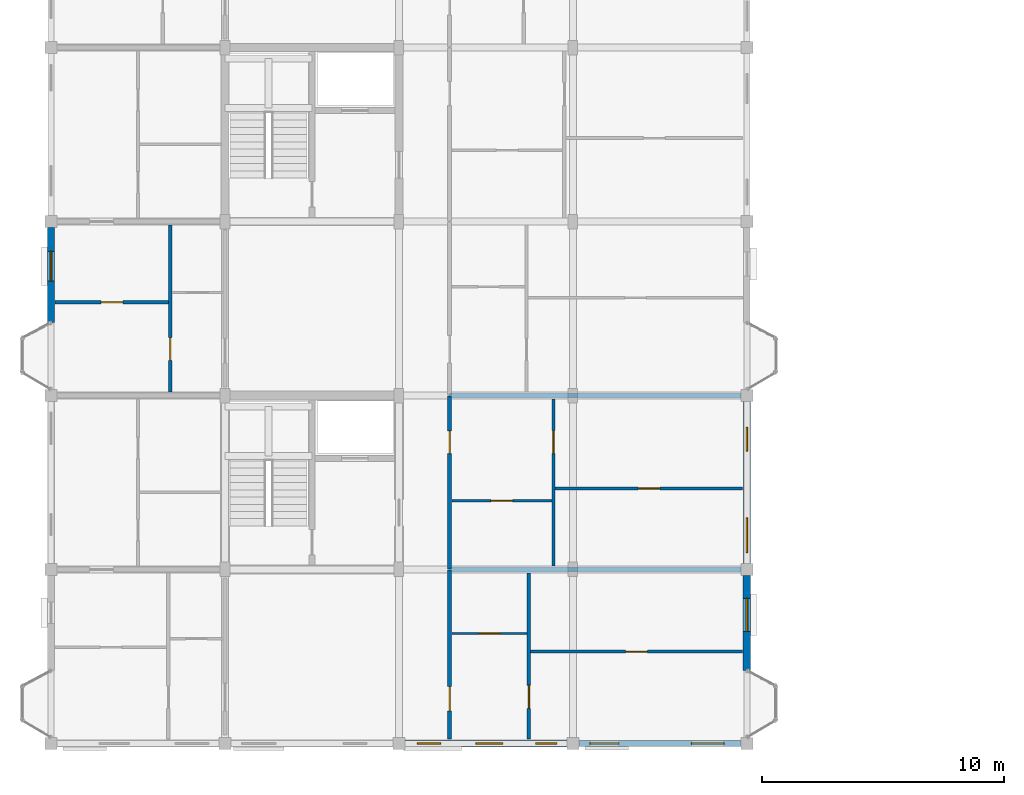
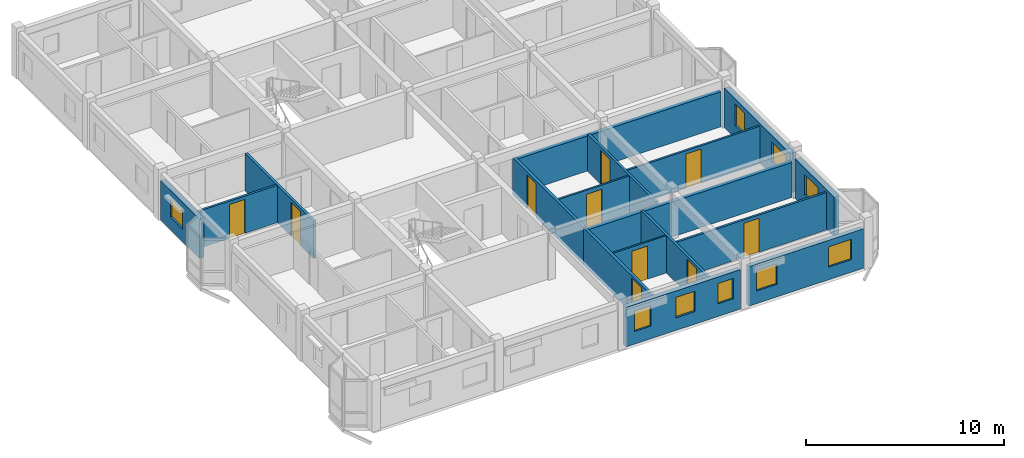
# One storey, part 46 of 65: 17 walls, 10 doors, 9 windows, 19 openings.
"""IFC4 building model written with IfcOpenShell, lengths in metres."""

from ifc_helpers import new_model, si_unit, direction, frame, frame_2d, origin, place, context, subcontext, project, spatial, rectangle, extrude, material, layer, layer_set, type_object, element, fill, save


model = new_model("IFC4")

# Units and contexts
model_context = context("Model", 3, precision=1e-05, world=origin(), true_north=direction((0.0, 1.0)))
body_context = subcontext(model_context, "Body", "Model", "MODEL_VIEW")
ifc_project = project(units=[si_unit("LENGTHUNIT", "METRE"), si_unit("AREAUNIT", "SQUARE_METRE"), si_unit("VOLUMEUNIT", "CUBIC_METRE"), si_unit("PLANEANGLEUNIT", "RADIAN"), si_unit("MASSUNIT", "GRAM", prefix="KILO"), si_unit("THERMODYNAMICTEMPERATUREUNIT", "KELVIN"), si_unit("POWERUNIT", "WATT")], contexts=[model_context])

# Site, building, storey
site_placement = place(None, origin())
site = spatial("IfcSite", under=ifc_project, at=site_placement, CompositionType="ELEMENT")
building_placement = place(site_placement, origin())
building = spatial("IfcBuilding", under=site, at=building_placement, Name="Tavuni Mirador Residences", CompositionType="ELEMENT")
storey_placement = place(building_placement, frame((0.0, 0.0, 29.699951171875)))
storey = spatial("IfcBuildingStorey", under=building, at=storey_placement, Name="L09", CompositionType="ELEMENT", Elevation=29.699951171875)

# Wall, opening, door
ifc_material_1 = material(Name="Precast concrete C40/50", Category="concrete")
ifc_layer_1 = layer(ifc_material_1, 0.1650390625, Name="Precast concrete C40/50", Category="concrete")
ifc_layer_set_1 = layer_set([ifc_layer_1], Name="Precast concrete C40/50")
wall_type_1 = type_object("IfcWallType", Name="WT-CORR165", PredefinedType="PARTITIONING", material=ifc_layer_set_1)
wall_1_placement = place(storey_placement, frame((20.10009765625, 7.375, 0.0), z_axis=(0.0, 0.0, 1.0), x_axis=(0.0, 1.0, 0.0)))
wall_1 = element("IfcWall", 1, at=wall_1_placement, inside=storey, type_object=wall_type_1, Name="CORW-BLK-A-L09-0-00", PredefinedType="PARTITIONING", context=body_context, shape_type="SweptSolid", body=[
    extrude(rectangle(XDim=7.0048828125, YDim=0.1650390625, at=frame_2d((3.50244140625, 0.0))), origin(), (0.0, 0.0, 1.0), 2.304931640625),
])
opening_1_placement = place(wall_1_placement, frame((1.175048828125, 0.0, 0.0)))
opening_1 = element("IfcOpeningElement", 2, at=opening_1_placement, cuts=wall_1, Name="Opening D-03", PredefinedType="OPENING", context=body_context, shape_type="SweptSolid", body=[
    extrude(rectangle(XDim=1.0, YDim=2.14990234375, at=frame_2d((0.5, 1.074951171875))), frame((0.0, 0.092529296875, 0.0), z_axis=(0.0, -1.0, 0.0), x_axis=(1.0, 0.0, 0.0)), (0.0, 0.0, 1.0), 0.18505859375),
])
ifc_material_2 = material(Name="Solid core iroko timber", Category="wood")
door_type_1 = type_object("IfcDoorType", Name="DT-FD60-1000", OperationType="NOTDEFINED", PredefinedType="DOOR", material=ifc_material_2)
door_1_placement = place(opening_1_placement, origin())
door_1 = element("IfcDoor", 3, at=door_1_placement, inside=storey, type_object=door_type_1, Name="DR-2469", OperationType="SINGLE_SWING_RIGHT", OverallHeight=2.14990234375, OverallWidth=1.0, PredefinedType="DOOR", context=body_context, shape_type="SweptSolid", body=[
    extrude(rectangle(XDim=1.0, YDim=2.14990234375, at=frame_2d((0.5, 1.074951171875))), frame((0.0, 0.02490234375, 0.0), z_axis=(0.0, -1.0, 0.0), x_axis=(1.0, 0.0, 0.0)), (0.0, 0.0, 1.0), 0.050048828125),
])
fill(opening_1, door_1)

wall_2_placement = place(storey_placement, frame((20.10009765625, 14.419921875, 0.0), z_axis=(0.0, 0.0, 1.0), x_axis=(0.0, 1.0, 0.0)))
wall_2 = element("IfcWall", 4, at=wall_2_placement, inside=storey, type_object=wall_type_1, Name="CORW-BLK-A-L09-0-01", PredefinedType="PARTITIONING", context=body_context, shape_type="SweptSolid", body=[
    extrude(rectangle(XDim=7.16015625, YDim=0.1650390625, at=frame_2d((3.580078125, 0.0))), origin(), (0.0, 0.0, 1.0), 2.304931640625),
])
opening_2_placement = place(wall_2_placement, frame((4.780029296875, 0.0, 0.0)))
opening_2 = element("IfcOpeningElement", 5, at=opening_2_placement, cuts=wall_2, Name="Opening D-19", PredefinedType="OPENING", context=body_context, shape_type="SweptSolid", body=[
    extrude(rectangle(XDim=0.93994140625, YDim=2.1201171875, at=frame_2d((0.469970703125, 1.06005859375))), frame((0.0, 0.092529296875, 0.0), z_axis=(0.0, -1.0, 0.0), x_axis=(1.0, 0.0, 0.0)), (0.0, 0.0, 1.0), 0.18505859375),
])
door_type_2 = type_object("IfcDoorType", Name="DT-FD60-940", OperationType="NOTDEFINED", PredefinedType="DOOR", material=ifc_material_2)
door_2_placement = place(opening_2_placement, origin())
door_2 = element("IfcDoor", 6, at=door_2_placement, inside=storey, type_object=door_type_2, Name="DR-2470", OperationType="SINGLE_SWING_LEFT", OverallHeight=2.1201171875, OverallWidth=0.93994140625, PredefinedType="DOOR", context=body_context, shape_type="SweptSolid", body=[
    extrude(rectangle(XDim=0.93994140625, YDim=2.1201171875, at=frame_2d((0.469970703125, 1.06005859375))), frame((0.0, 0.02490234375, 0.0), z_axis=(0.0, -1.0, 0.0), x_axis=(1.0, 0.0, 0.0)), (0.0, 0.0, 1.0), 0.050048828125),
])
fill(opening_2, door_2)

# Wall, openings, windows
ifc_material_3 = material(Name="Sgraffito lime-rendered precast concrete C40/50", Category="concrete")
ifc_layer_2 = layer(ifc_material_3, 0.2548828125, Name="Sgraffito lime-rendered precast concrete C40/50", Category="concrete")
ifc_layer_set_2 = layer_set([ifc_layer_2], Name="Sgraffito lime-rendered precast concrete C40/50")
wall_type_2 = type_object("IfcWallType", Name="WT-EXT-PC255", PredefinedType="SOLIDWALL", material=ifc_layer_set_2)
wall_3_placement = place(storey_placement, frame((25.449951171875, 7.199951171875, 0.0), z_axis=(0.0, 0.0, 1.0), x_axis=(1.0, 0.0, 0.0)))
wall_3 = element("IfcWall", 7, at=wall_3_placement, inside=storey, type_object=wall_type_2, Name="EW-BLK-A-L09-S03", PredefinedType="SOLIDWALL", context=body_context, shape_type="SweptSolid", body=[
    extrude(rectangle(XDim=6.699951171875, YDim=0.2548828125, at=frame_2d((3.35009765625, 0.0))), origin(), (0.0, 0.0, 1.0), 2.43994140625),
])
opening_3_placement = place(wall_3_placement, frame((0.449951171875, 0.0, 0.780029296875)))
opening_3 = element("IfcOpeningElement", 8, at=opening_3_placement, cuts=wall_3, Name="Opening WN-13", PredefinedType="OPENING", context=body_context, shape_type="SweptSolid", body=[
    extrude(rectangle(XDim=1.199951171875, YDim=1.260009765625, at=frame_2d((0.60009765625, 0.6298828125))), frame((0.0, 0.137451171875, 0.0), z_axis=(0.0, -1.0, 0.0), x_axis=(1.0, 0.0, 0.0)), (0.0, 0.0, 1.0), 0.27490234375),
])
opening_4_placement = place(wall_3_placement, frame((4.64990234375, 0.0, 0.780029296875)))
opening_4 = element("IfcOpeningElement", 9, at=opening_4_placement, cuts=wall_3, Name="Opening WN-15", PredefinedType="OPENING", context=body_context, shape_type="SweptSolid", body=[
    extrude(rectangle(XDim=1.360107421875, YDim=1.260009765625, at=frame_2d((0.68017578125, 0.6298828125))), frame((0.0, 0.137451171875, 0.0), z_axis=(0.0, -1.0, 0.0), x_axis=(1.0, 0.0, 0.0)), (0.0, 0.0, 1.0), 0.27490234375),
])
ifc_material_4 = material(Name="Laminated solar-control glass", Category="glass")
window_type_1 = type_object("IfcWindowType", Name="WNT-13", PartitioningType="SINGLE_PANEL", PredefinedType="WINDOW", material=ifc_material_4)
window_1_placement = place(opening_3_placement, origin())
window_1 = element("IfcWindow", 10, at=window_1_placement, inside=storey, type_object=window_type_1, Name="WIN-0333", OverallHeight=1.260009765625, OverallWidth=1.199951171875, PartitioningType="SINGLE_PANEL", PredefinedType="WINDOW", context=body_context, shape_type="SweptSolid", body=[
    extrude(rectangle(XDim=1.199951171875, YDim=1.260009765625, at=frame_2d((0.60009765625, 0.6298828125))), frame((0.0, 0.030029296875, 0.0), z_axis=(0.0, -1.0, 0.0), x_axis=(1.0, 0.0, 0.0)), (0.0, 0.0, 1.0), 0.06005859375),
])
fill(opening_3, window_1)
window_type_2 = type_object("IfcWindowType", Name="WNT-15", PartitioningType="SINGLE_PANEL", PredefinedType="WINDOW", material=ifc_material_4)
window_2_placement = place(opening_4_placement, origin())
window_2 = element("IfcWindow", 11, at=window_2_placement, inside=storey, type_object=window_type_2, Name="WIN-0334", OverallHeight=1.260009765625, OverallWidth=1.360107421875, PartitioningType="SINGLE_PANEL", PredefinedType="WINDOW", context=body_context, shape_type="SweptSolid", body=[
    extrude(rectangle(XDim=1.360107421875, YDim=1.260009765625, at=frame_2d((0.68017578125, 0.6298828125))), frame((0.0, 0.030029296875, 0.0), z_axis=(0.0, -1.0, 0.0), x_axis=(1.0, 0.0, 0.0)), (0.0, 0.0, 1.0), 0.06005859375),
])
fill(opening_4, window_2)

ifc_layer_3 = layer(ifc_material_3, 0.27490234375, Name="Sgraffito lime-rendered precast concrete C40/50", Category="concrete")
ifc_layer_set_3 = layer_set([ifc_layer_3], Name="Sgraffito lime-rendered precast concrete C40/50")
wall_type_3 = type_object("IfcWallType", Name="WT-EXT-PC275", PredefinedType="SOLIDWALL", material=ifc_layer_set_3)
wall_4_placement = place(storey_placement, frame((18.25, 7.199951171875, 0.0), z_axis=(0.0, 0.0, 1.0), x_axis=(1.0, 0.0, 0.0)))
wall_4 = element("IfcWall", 12, at=wall_4_placement, inside=storey, type_object=wall_type_3, Name="EW-BLK-A-L09-S02", PredefinedType="SOLIDWALL", context=body_context, shape_type="SweptSolid", body=[
    extrude(rectangle(XDim=6.699951171875, YDim=0.27490234375, at=frame_2d((3.35009765625, 0.0))), origin(), (0.0, 0.0, 1.0), 2.43994140625),
])
opening_5_placement = place(wall_4_placement, frame((0.514892578125, 0.0, 0.780029296875)))
opening_5 = element("IfcOpeningElement", 13, at=opening_5_placement, cuts=wall_4, Name="Opening WN-10", PredefinedType="OPENING", context=body_context, shape_type="SweptSolid", body=[
    extrude(rectangle(XDim=0.9599609375, YDim=1.260009765625, at=frame_2d((0.47998046875, 0.6298828125))), frame((0.0, 0.1474609375, 0.0), z_axis=(0.0, -1.0, 0.0), x_axis=(1.0, 0.0, 0.0)), (0.0, 0.0, 1.0), 0.294921875),
])
opening_6_placement = place(wall_4_placement, frame((2.929931640625, 0.0, 0.780029296875)))
opening_6 = element("IfcOpeningElement", 14, at=opening_6_placement, cuts=wall_4, Name="Opening WN-12", PredefinedType="OPENING", context=body_context, shape_type="SweptSolid", body=[
    extrude(rectangle(XDim=1.1201171875, YDim=1.260009765625, at=frame_2d((0.56005859375, 0.6298828125))), frame((0.0, 0.1474609375, 0.0), z_axis=(0.0, -1.0, 0.0), x_axis=(1.0, 0.0, 0.0)), (0.0, 0.0, 1.0), 0.294921875),
])
opening_7_placement = place(wall_4_placement, frame((5.405029296875, 0.0, 0.780029296875)))
opening_7 = element("IfcOpeningElement", 15, at=opening_7_placement, cuts=wall_4, Name="Opening WN-09", PredefinedType="OPENING", context=body_context, shape_type="SweptSolid", body=[
    extrude(rectangle(XDim=0.8798828125, YDim=1.260009765625, at=frame_2d((0.43994140625, 0.6298828125))), frame((0.0, 0.1474609375, 0.0), z_axis=(0.0, -1.0, 0.0), x_axis=(1.0, 0.0, 0.0)), (0.0, 0.0, 1.0), 0.294921875),
])
window_type_3 = type_object("IfcWindowType", Name="WNT-09", PartitioningType="SINGLE_PANEL", PredefinedType="WINDOW", material=ifc_material_4)
window_3_placement = place(opening_7_placement, origin())
window_3 = element("IfcWindow", 16, at=window_3_placement, inside=storey, type_object=window_type_3, Name="WIN-0332", OverallHeight=1.260009765625, OverallWidth=0.8798828125, PartitioningType="SINGLE_PANEL", PredefinedType="WINDOW", context=body_context, shape_type="SweptSolid", body=[
    extrude(rectangle(XDim=0.8798828125, YDim=1.260009765625, at=frame_2d((0.43994140625, 0.6298828125))), frame((0.0, 0.030029296875, 0.0), z_axis=(0.0, -1.0, 0.0), x_axis=(1.0, 0.0, 0.0)), (0.0, 0.0, 1.0), 0.06005859375),
])
fill(opening_7, window_3)
window_type_4 = type_object("IfcWindowType", Name="WNT-10", PartitioningType="SINGLE_PANEL", PredefinedType="WINDOW", material=ifc_material_4)
window_4_placement = place(opening_5_placement, origin())
window_4 = element("IfcWindow", 17, at=window_4_placement, inside=storey, type_object=window_type_4, Name="WIN-0330", OverallHeight=1.260009765625, OverallWidth=0.9599609375, PartitioningType="SINGLE_PANEL", PredefinedType="WINDOW", context=body_context, shape_type="SweptSolid", body=[
    extrude(rectangle(XDim=0.9599609375, YDim=1.260009765625, at=frame_2d((0.47998046875, 0.6298828125))), frame((0.0, 0.030029296875, 0.0), z_axis=(0.0, -1.0, 0.0), x_axis=(1.0, 0.0, 0.0)), (0.0, 0.0, 1.0), 0.06005859375),
])
fill(opening_5, window_4)
window_type_5 = type_object("IfcWindowType", Name="WNT-12", PartitioningType="SINGLE_PANEL", PredefinedType="WINDOW", material=ifc_material_4)
window_5_placement = place(opening_6_placement, origin())
window_5 = element("IfcWindow", 18, at=window_5_placement, inside=storey, type_object=window_type_5, Name="WIN-0331", OverallHeight=1.260009765625, OverallWidth=1.1201171875, PartitioningType="SINGLE_PANEL", PredefinedType="WINDOW", context=body_context, shape_type="SweptSolid", body=[
    extrude(rectangle(XDim=1.1201171875, YDim=1.260009765625, at=frame_2d((0.56005859375, 0.6298828125))), frame((0.0, 0.030029296875, 0.0), z_axis=(0.0, -1.0, 0.0), x_axis=(1.0, 0.0, 0.0)), (0.0, 0.0, 1.0), 0.06005859375),
])
fill(opening_6, window_5)

# Wall, opening, window
wall_5_placement = place(storey_placement, frame((3.60009765625, 28.550048828125, 0.0), z_axis=(0.0, 0.0, 1.0), x_axis=(0.0, -1.0, 0.0)))
wall_5 = element("IfcWall", 19, at=wall_5_placement, inside=storey, type_object=wall_type_3, Name="EW-BLK-A-L09-W02", PredefinedType="SOLIDWALL", context=body_context, shape_type="SweptSolid", body=[
    extrude(rectangle(XDim=3.929931640625, YDim=0.27490234375, at=frame_2d((1.96484375, 0.0))), origin(), (0.0, 0.0, 1.0), 2.43994140625),
])
opening_8_placement = place(wall_5_placement, frame((0.97998046875, 0.0, 0.780029296875)))
opening_8 = element("IfcOpeningElement", 20, at=opening_8_placement, cuts=wall_5, Name="Opening WN-06", PredefinedType="OPENING", context=body_context, shape_type="SweptSolid", body=[
    extrude(rectangle(XDim=1.239990234375, YDim=1.14990234375, at=frame_2d((0.6201171875, 0.574951171875))), frame((0.0, 0.1474609375, 0.0), z_axis=(0.0, -1.0, 0.0), x_axis=(1.0, 0.0, 0.0)), (0.0, 0.0, 1.0), 0.294921875),
])
window_type_6 = type_object("IfcWindowType", Name="WNT-06", PartitioningType="SINGLE_PANEL", PredefinedType="WINDOW", material=ifc_material_4)
window_6_placement = place(opening_8_placement, origin())
window_6 = element("IfcWindow", 21, at=window_6_placement, inside=storey, type_object=window_type_6, Name="WIN-0356", OverallHeight=1.14990234375, OverallWidth=1.239990234375, PartitioningType="SINGLE_PANEL", PredefinedType="WINDOW", context=body_context, shape_type="SweptSolid", body=[
    extrude(rectangle(XDim=1.239990234375, YDim=1.14990234375, at=frame_2d((0.6201171875, 0.574951171875))), frame((0.0, 0.030029296875, 0.0), z_axis=(0.0, -1.0, 0.0), x_axis=(1.0, 0.0, 0.0)), (0.0, 0.0, 1.0), 0.06005859375),
])
fill(opening_8, window_6)

# Wall, openings, windows
ifc_layer_4 = layer(ifc_material_3, 0.2900390625, Name="Sgraffito lime-rendered precast concrete C40/50", Category="concrete")
ifc_layer_set_4 = layer_set([ifc_layer_4], Name="Sgraffito lime-rendered precast concrete C40/50")
wall_type_4 = type_object("IfcWallType", Name="WT-EXT-PC290", PredefinedType="SOLIDWALL", material=ifc_layer_set_4)
wall_6_placement = place(storey_placement, frame((32.39990234375, 14.64990234375, 0.0), z_axis=(0.0, 0.0, 1.0), x_axis=(0.0, 1.0, 0.0)))
wall_6 = element("IfcWall", 22, at=wall_6_placement, inside=storey, type_object=wall_type_4, Name="EW-BLK-A-L09-E01", PredefinedType="SOLIDWALL", context=body_context, shape_type="SweptSolid", body=[
    extrude(rectangle(XDim=6.7001953125, YDim=0.2900390625, at=frame_2d((3.35009765625, 0.0))), origin(), (0.0, 0.0, 1.0), 2.43994140625),
])
opening_9_placement = place(wall_6_placement, frame((0.449951171875, 0.0, 0.780029296875)))
opening_9 = element("IfcOpeningElement", 23, at=opening_9_placement, cuts=wall_6, Name="Opening WN-16", PredefinedType="OPENING", context=body_context, shape_type="SweptSolid", body=[
    extrude(rectangle(XDim=1.43994140625, YDim=1.260009765625, at=frame_2d((0.719970703125, 0.6298828125))), frame((0.0, 0.155029296875, 0.0), z_axis=(0.0, -1.0, 0.0), x_axis=(1.0, 0.0, 0.0)), (0.0, 0.0, 1.0), 0.31005859375),
])
opening_10_placement = place(wall_6_placement, frame((4.64990234375, 0.0, 0.780029296875)))
opening_10 = element("IfcOpeningElement", 24, at=opening_10_placement, cuts=wall_6, Name="Opening WN-18", PredefinedType="OPENING", context=body_context, shape_type="SweptSolid", body=[
    extrude(rectangle(XDim=0.97998046875, YDim=1.360107421875, at=frame_2d((0.489990234375, 0.68017578125))), frame((0.0, 0.155029296875, 0.0), z_axis=(0.0, -1.0, 0.0), x_axis=(1.0, 0.0, 0.0)), (0.0, 0.0, 1.0), 0.31005859375),
])
window_type_7 = type_object("IfcWindowType", Name="WNT-16", PartitioningType="SINGLE_PANEL", PredefinedType="WINDOW", material=ifc_material_4)
window_7_placement = place(opening_9_placement, origin())
window_7 = element("IfcWindow", 25, at=window_7_placement, inside=storey, type_object=window_type_7, Name="WIN-0336", OverallHeight=1.260009765625, OverallWidth=1.43994140625, PartitioningType="SINGLE_PANEL", PredefinedType="WINDOW", context=body_context, shape_type="SweptSolid", body=[
    extrude(rectangle(XDim=1.43994140625, YDim=1.260009765625, at=frame_2d((0.719970703125, 0.6298828125))), frame((0.0, 0.030029296875, 0.0), z_axis=(0.0, -1.0, 0.0), x_axis=(1.0, 0.0, 0.0)), (0.0, 0.0, 1.0), 0.06005859375),
])
fill(opening_9, window_7)
window_type_8 = type_object("IfcWindowType", Name="WNT-18", PartitioningType="SINGLE_PANEL", PredefinedType="WINDOW", material=ifc_material_4)
window_8_placement = place(opening_10_placement, origin())
window_8 = element("IfcWindow", 26, at=window_8_placement, inside=storey, type_object=window_type_8, Name="WIN-0337", OverallHeight=1.360107421875, OverallWidth=0.97998046875, PartitioningType="SINGLE_PANEL", PredefinedType="WINDOW", context=body_context, shape_type="SweptSolid", body=[
    extrude(rectangle(XDim=0.97998046875, YDim=1.360107421875, at=frame_2d((0.489990234375, 0.68017578125))), frame((0.0, 0.030029296875, 0.0), z_axis=(0.0, -1.0, 0.0), x_axis=(1.0, 0.0, 0.0)), (0.0, 0.0, 1.0), 0.06005859375),
])
fill(opening_10, window_8)

# Wall, opening, window
ifc_layer_5 = layer(ifc_material_3, 0.304931640625, Name="Sgraffito lime-rendered precast concrete C40/50", Category="concrete")
ifc_layer_set_5 = layer_set([ifc_layer_5], Name="Sgraffito lime-rendered precast concrete C40/50")
wall_type_5 = type_object("IfcWallType", Name="WT-EXT-PC305", PredefinedType="SOLIDWALL", material=ifc_layer_set_5)
wall_7_placement = place(storey_placement, frame((32.39990234375, 10.219970703125, 0.0), z_axis=(0.0, 0.0, 1.0), x_axis=(0.0, 1.0, 0.0)))
wall_7 = element("IfcWall", 27, at=wall_7_placement, inside=storey, type_object=wall_type_5, Name="EW-BLK-A-L09-E00", PredefinedType="SOLIDWALL", context=body_context, shape_type="SweptSolid", body=[
    extrude(rectangle(XDim=3.929931640625, YDim=0.304931640625, at=frame_2d((1.96484375, 0.0))), origin(), (0.0, 0.0, 1.0), 2.43994140625),
])
opening_11_placement = place(wall_7_placement, frame((1.6201171875, 0.0, 0.780029296875)))
opening_11 = element("IfcOpeningElement", 28, at=opening_11_placement, cuts=wall_7, Name="Opening WN-15", PredefinedType="OPENING", context=body_context, shape_type="SweptSolid", body=[
    extrude(rectangle(XDim=1.360107421875, YDim=1.260009765625, at=frame_2d((0.68017578125, 0.6298828125))), frame((0.0, 0.16259765625, 0.0), z_axis=(0.0, -1.0, 0.0), x_axis=(1.0, 0.0, 0.0)), (0.0, 0.0, 1.0), 0.324951171875),
])
window_9_placement = place(opening_11_placement, origin())
window_9 = element("IfcWindow", 29, at=window_9_placement, inside=storey, type_object=window_type_2, Name="WIN-0335", OverallHeight=1.260009765625, OverallWidth=1.360107421875, PartitioningType="SINGLE_PANEL", PredefinedType="WINDOW", context=body_context, shape_type="SweptSolid", body=[
    extrude(rectangle(XDim=1.360107421875, YDim=1.260009765625, at=frame_2d((0.68017578125, 0.6298828125))), frame((0.0, 0.030029296875, 0.0), z_axis=(0.0, -1.0, 0.0), x_axis=(1.0, 0.0, 0.0)), (0.0, 0.0, 1.0), 0.06005859375),
])
fill(opening_11, window_9)

# Wall, opening, door
ifc_material_5 = material(Name="Acoustic gypsum and concrete block partition", Category="concrete")
ifc_layer_6 = layer(ifc_material_5, 0.094970703125, Name="Acoustic gypsum and concrete block partition", Category="concrete")
ifc_layer_set_6 = layer_set([ifc_layer_6], Name="Acoustic gypsum and concrete block partition")
wall_type_6 = type_object("IfcWallType", Name="WT-PART095", PredefinedType="PARTITIONING", material=ifc_layer_set_6)
wall_8_placement = place(storey_placement, frame((20.18994140625, 11.75, 0.0), z_axis=(0.0, 0.0, 1.0), x_axis=(1.0, 0.0, 0.0)))
wall_8 = element("IfcWall", 30, at=wall_8_placement, inside=storey, type_object=wall_type_6, Name="PW-BLK-A-L09-E00-IN1", PredefinedType="PARTITIONING", context=body_context, shape_type="SweptSolid", body=[
    extrude(rectangle(XDim=3.1201171875, YDim=0.094970703125, at=frame_2d((1.56005859375, 0.0))), origin(), (0.0, 0.0, 1.0), 2.304931640625),
])
opening_12_placement = place(wall_8_placement, frame((1.110107421875, 0.0, 0.0)))
opening_12 = element("IfcOpeningElement", 31, at=opening_12_placement, cuts=wall_8, Name="Opening D-09", PredefinedType="OPENING", context=body_context, shape_type="SweptSolid", body=[
    extrude(rectangle(XDim=0.89990234375, YDim=2.050048828125, at=frame_2d((0.449951171875, 1.02490234375))), frame((0.0, 0.0576171875, 0.0), z_axis=(0.0, -1.0, 0.0), x_axis=(1.0, 0.0, 0.0)), (0.0, 0.0, 1.0), 0.114990234375),
])
door_type_3 = type_object("IfcDoorType", Name="DT-WC900", OperationType="NOTDEFINED", PredefinedType="DOOR", material=ifc_material_2)
door_3_placement = place(opening_12_placement, origin())
door_3 = element("IfcDoor", 32, at=door_3_placement, inside=storey, type_object=door_type_3, Name="DR-3232", OperationType="SINGLE_SWING_RIGHT", OverallHeight=2.050048828125, OverallWidth=0.89990234375, PredefinedType="DOOR", context=body_context, shape_type="SweptSolid", body=[
    extrude(rectangle(XDim=0.89990234375, YDim=2.050048828125, at=frame_2d((0.449951171875, 1.02490234375))), frame((0.0, 0.02490234375, 0.0), z_axis=(0.0, -1.0, 0.0), x_axis=(1.0, 0.0, 0.0)), (0.0, 0.0, 1.0), 0.050048828125),
])
fill(opening_12, door_3)

ifc_layer_7 = layer(ifc_material_5, 0.10498046875, Name="Acoustic gypsum and concrete block partition", Category="concrete")
ifc_layer_set_7 = layer_set([ifc_layer_7], Name="Acoustic gypsum and concrete block partition")
wall_type_7 = type_object("IfcWallType", Name="WT-PART105", PredefinedType="PARTITIONING", material=ifc_layer_set_7)
wall_9_placement = place(storey_placement, frame((20.18994140625, 17.25, 0.0), z_axis=(0.0, 0.0, 1.0), x_axis=(1.0, 0.0, 0.0)))
wall_9 = element("IfcWall", 33, at=wall_9_placement, inside=storey, type_object=wall_type_7, Name="PW-BLK-A-L09-E01-IN1", PredefinedType="PARTITIONING", context=body_context, shape_type="SweptSolid", body=[
    extrude(rectangle(XDim=4.14013671875, YDim=0.10498046875, at=frame_2d((2.070068359375, 0.0))), origin(), (0.0, 0.0, 1.0), 2.304931640625),
])
opening_13_placement = place(wall_9_placement, frame((1.6201171875, 0.0, 0.0)))
opening_13 = element("IfcOpeningElement", 34, at=opening_13_placement, cuts=wall_9, Name="Opening D-09", PredefinedType="OPENING", context=body_context, shape_type="SweptSolid", body=[
    extrude(rectangle(XDim=0.89990234375, YDim=2.050048828125, at=frame_2d((0.449951171875, 1.02490234375))), frame((0.0, 0.0625, 0.0), z_axis=(0.0, -1.0, 0.0), x_axis=(1.0, 0.0, 0.0)), (0.0, 0.0, 1.0), 0.125),
])
door_4_placement = place(opening_13_placement, origin())
door_4 = element("IfcDoor", 35, at=door_4_placement, inside=storey, type_object=door_type_3, Name="DR-3237", OperationType="SINGLE_SWING_RIGHT", OverallHeight=2.050048828125, OverallWidth=0.89990234375, PredefinedType="DOOR", context=body_context, shape_type="SweptSolid", body=[
    extrude(rectangle(XDim=0.89990234375, YDim=2.050048828125, at=frame_2d((0.449951171875, 1.02490234375))), frame((0.0, 0.02490234375, 0.0), z_axis=(0.0, -1.0, 0.0), x_axis=(1.0, 0.0, 0.0)), (0.0, 0.0, 1.0), 0.050048828125),
])
fill(opening_13, door_4)

ifc_layer_8 = layer(ifc_material_5, 0.114990234375, Name="Acoustic gypsum and concrete block partition", Category="concrete")
ifc_layer_set_8 = layer_set([ifc_layer_8], Name="Acoustic gypsum and concrete block partition")
wall_type_8 = type_object("IfcWallType", Name="WT-PART115", PredefinedType="PARTITIONING", material=ifc_layer_set_8)
wall_10_placement = place(storey_placement, frame((24.469970703125, 17.75, 0.0), z_axis=(0.0, 0.0, 1.0), x_axis=(1.0, 0.0, 0.0)))
wall_10 = element("IfcWall", 36, at=wall_10_placement, inside=storey, type_object=wall_type_8, Name="PW-BLK-A-L09-E01-OUT", PredefinedType="PARTITIONING", context=body_context, shape_type="SweptSolid", body=[
    extrude(rectangle(XDim=7.755126953125, YDim=0.114990234375, at=frame_2d((3.87744140625, 0.0))), origin(), (0.0, 0.0, 1.0), 2.304931640625),
])
opening_14_placement = place(wall_10_placement, frame((3.427490234375, 0.0, 0.0)))
opening_14 = element("IfcOpeningElement", 37, at=opening_14_placement, cuts=wall_10, Name="Opening D-07", PredefinedType="OPENING", context=body_context, shape_type="SweptSolid", body=[
    extrude(rectangle(XDim=0.89990234375, YDim=2.10009765625, at=frame_2d((0.449951171875, 1.050048828125))), frame((0.0, 0.0673828125, 0.0), z_axis=(0.0, -1.0, 0.0), x_axis=(1.0, 0.0, 0.0)), (0.0, 0.0, 1.0), 0.135009765625),
])
door_type_4 = type_object("IfcDoorType", Name="DT-BED900", OperationType="NOTDEFINED", PredefinedType="DOOR", material=ifc_material_2)
door_5_placement = place(opening_14_placement, origin())
door_5 = element("IfcDoor", 38, at=door_5_placement, inside=storey, type_object=door_type_4, Name="DR-3236", OperationType="SINGLE_SWING_LEFT", OverallHeight=2.10009765625, OverallWidth=0.89990234375, PredefinedType="DOOR", context=body_context, shape_type="SweptSolid", body=[
    extrude(rectangle(XDim=0.89990234375, YDim=2.10009765625, at=frame_2d((0.449951171875, 1.050048828125))), frame((0.0, 0.02490234375, 0.0), z_axis=(0.0, -1.0, 0.0), x_axis=(1.0, 0.0, 0.0)), (0.0, 0.0, 1.0), 0.050048828125),
])
fill(opening_14, door_5)

ifc_layer_9 = layer(ifc_material_5, 0.125, Name="Acoustic gypsum and concrete block partition", Category="concrete")
ifc_layer_set_9 = layer_set([ifc_layer_9], Name="Acoustic gypsum and concrete block partition")
wall_type_9 = type_object("IfcWallType", Name="WT-PART125", PredefinedType="PARTITIONING", material=ifc_layer_set_9)
wall_11_placement = place(storey_placement, frame((23.449951171875, 11.0, 0.0), z_axis=(0.0, 0.0, 1.0), x_axis=(1.0, 0.0, 0.0)))
wall_11 = element("IfcWall", 39, at=wall_11_placement, inside=storey, type_object=wall_type_9, Name="PW-BLK-A-L09-E00-OUT", PredefinedType="PARTITIONING", context=body_context, shape_type="SweptSolid", body=[
    extrude(rectangle(XDim=8.775146484375, YDim=0.125, at=frame_2d((4.3876953125, 0.0))), origin(), (0.0, 0.0, 1.0), 2.304931640625),
])
opening_15_placement = place(wall_11_placement, frame((3.9375, 0.0, 0.0)))
opening_15 = element("IfcOpeningElement", 40, at=opening_15_placement, cuts=wall_11, Name="Opening D-07", PredefinedType="OPENING", context=body_context, shape_type="SweptSolid", body=[
    extrude(rectangle(XDim=0.89990234375, YDim=2.10009765625, at=frame_2d((0.449951171875, 1.050048828125))), frame((0.0, 0.072509765625, 0.0), z_axis=(0.0, -1.0, 0.0), x_axis=(1.0, 0.0, 0.0)), (0.0, 0.0, 1.0), 0.14501953125),
])
door_6_placement = place(opening_15_placement, origin())
door_6 = element("IfcDoor", 41, at=door_6_placement, inside=storey, type_object=door_type_4, Name="DR-3231", OperationType="SINGLE_SWING_LEFT", OverallHeight=2.10009765625, OverallWidth=0.89990234375, PredefinedType="DOOR", context=body_context, shape_type="SweptSolid", body=[
    extrude(rectangle(XDim=0.89990234375, YDim=2.10009765625, at=frame_2d((0.449951171875, 1.050048828125))), frame((0.0, 0.02490234375, 0.0), z_axis=(0.0, -1.0, 0.0), x_axis=(1.0, 0.0, 0.0)), (0.0, 0.0, 1.0), 0.050048828125),
])
fill(opening_15, door_6)

wall_12_placement = place(storey_placement, frame((3.77490234375, 25.4599609375, 0.0), z_axis=(0.0, 0.0, 1.0), x_axis=(1.0, 0.0, 0.0)))
wall_12 = element("IfcWall", 42, at=wall_12_placement, inside=storey, type_object=wall_type_9, Name="PW-BLK-A-L09-W02-OUT", PredefinedType="PARTITIONING", context=body_context, shape_type="SweptSolid", body=[
    extrude(rectangle(XDim=4.695068359375, YDim=0.125, at=frame_2d((2.34765625, 0.0))), origin(), (0.0, 0.0, 1.0), 2.304931640625),
])
opening_16_placement = place(wall_12_placement, frame((1.8974609375, 0.0, 0.0)))
opening_16 = element("IfcOpeningElement", 43, at=opening_16_placement, cuts=wall_12, Name="Opening D-07", PredefinedType="OPENING", context=body_context, shape_type="SweptSolid", body=[
    extrude(rectangle(XDim=0.89990234375, YDim=2.10009765625, at=frame_2d((0.449951171875, 1.050048828125))), frame((0.0, 0.072509765625, 0.0), z_axis=(0.0, -1.0, 0.0), x_axis=(1.0, 0.0, 0.0)), (0.0, 0.0, 1.0), 0.14501953125),
])
door_7_placement = place(opening_16_placement, origin())
door_7 = element("IfcDoor", 44, at=door_7_placement, inside=storey, type_object=door_type_4, Name="DR-3239", OperationType="SINGLE_SWING_LEFT", OverallHeight=2.10009765625, OverallWidth=0.89990234375, PredefinedType="DOOR", context=body_context, shape_type="SweptSolid", body=[
    extrude(rectangle(XDim=0.89990234375, YDim=2.10009765625, at=frame_2d((0.449951171875, 1.050048828125))), frame((0.0, 0.02490234375, 0.0), z_axis=(0.0, -1.0, 0.0), x_axis=(1.0, 0.0, 0.0)), (0.0, 0.0, 1.0), 0.050048828125),
])
fill(opening_16, door_7)

ifc_layer_10 = layer(ifc_material_5, 0.139892578125, Name="Acoustic gypsum and concrete block partition", Category="concrete")
ifc_layer_set_10 = layer_set([ifc_layer_10], Name="Acoustic gypsum and concrete block partition")
wall_type_10 = type_object("IfcWallType", Name="WT-PART140", PredefinedType="PARTITIONING", material=ifc_layer_set_10)
wall_13_placement = place(storey_placement, frame((24.39990234375, 14.5400390625, 0.0), z_axis=(0.0, 0.0, 1.0), x_axis=(0.0, 1.0, 0.0)))
wall_13 = element("IfcWall", 45, at=wall_13_placement, inside=storey, type_object=wall_type_10, Name="PW-BLK-A-L09-E01-MID", PredefinedType="PARTITIONING", context=body_context, shape_type="SweptSolid", body=[
    extrude(rectangle(XDim=6.919921875, YDim=0.139892578125, at=frame_2d((3.4599609375, 0.0))), origin(), (0.0, 0.0, 1.0), 2.304931640625),
])
opening_17_placement = place(wall_13_placement, frame((4.659912109375, 0.0, 0.0)))
opening_17 = element("IfcOpeningElement", 46, at=opening_17_placement, cuts=wall_13, Name="Opening D-05", PredefinedType="OPENING", context=body_context, shape_type="SweptSolid", body=[
    extrude(rectangle(XDim=0.949951171875, YDim=2.10009765625, at=frame_2d((0.47509765625, 1.050048828125))), frame((0.0, 0.080078125, 0.0), z_axis=(0.0, -1.0, 0.0), x_axis=(1.0, 0.0, 0.0)), (0.0, 0.0, 1.0), 0.159912109375),
])
door_type_5 = type_object("IfcDoorType", Name="DT-INT950", OperationType="NOTDEFINED", PredefinedType="DOOR", material=ifc_material_2)
door_8_placement = place(opening_17_placement, origin())
door_8 = element("IfcDoor", 47, at=door_8_placement, inside=storey, type_object=door_type_5, Name="DR-3238", OperationType="SINGLE_SWING_LEFT", OverallHeight=2.10009765625, OverallWidth=0.949951171875, PredefinedType="DOOR", context=body_context, shape_type="SweptSolid", body=[
    extrude(rectangle(XDim=0.949951171875, YDim=2.10009765625, at=frame_2d((0.47509765625, 1.050048828125))), frame((0.0, 0.02490234375, 0.0), z_axis=(0.0, -1.0, 0.0), x_axis=(1.0, 0.0, 0.0)), (0.0, 0.0, 1.0), 0.050048828125),
])
fill(opening_17, door_8)

ifc_layer_11 = layer(ifc_material_5, 0.14990234375, Name="Acoustic gypsum and concrete block partition", Category="concrete")
ifc_layer_set_11 = layer_set([ifc_layer_11], Name="Acoustic gypsum and concrete block partition")
wall_type_11 = type_object("IfcWallType", Name="WT-PART150", PredefinedType="PARTITIONING", material=ifc_layer_set_11)
wall_14_placement = place(storey_placement, frame((23.3798828125, 7.375, 0.0), z_axis=(0.0, 0.0, 1.0), x_axis=(0.0, 1.0, 0.0)))
wall_14 = element("IfcWall", 48, at=wall_14_placement, inside=storey, type_object=wall_type_11, Name="PW-BLK-A-L09-E00-MID", PredefinedType="PARTITIONING", context=body_context, shape_type="SweptSolid", body=[
    extrude(rectangle(XDim=6.885009765625, YDim=0.14990234375, at=frame_2d((3.4423828125, 0.0))), origin(), (0.0, 0.0, 1.0), 2.304931640625),
])
opening_18_placement = place(wall_14_placement, frame((1.27490234375, 0.0, 0.0)))
opening_18 = element("IfcOpeningElement", 49, at=opening_18_placement, cuts=wall_14, Name="Opening D-05", PredefinedType="OPENING", context=body_context, shape_type="SweptSolid", body=[
    extrude(rectangle(XDim=0.949951171875, YDim=2.10009765625, at=frame_2d((0.47509765625, 1.050048828125))), frame((0.0, 0.0849609375, 0.0), z_axis=(0.0, -1.0, 0.0), x_axis=(1.0, 0.0, 0.0)), (0.0, 0.0, 1.0), 0.169921875),
])
door_9_placement = place(opening_18_placement, origin())
door_9 = element("IfcDoor", 50, at=door_9_placement, inside=storey, type_object=door_type_5, Name="DR-3233", OperationType="SINGLE_SWING_LEFT", OverallHeight=2.10009765625, OverallWidth=0.949951171875, PredefinedType="DOOR", context=body_context, shape_type="SweptSolid", body=[
    extrude(rectangle(XDim=0.949951171875, YDim=2.10009765625, at=frame_2d((0.47509765625, 1.050048828125))), frame((0.0, 0.02490234375, 0.0), z_axis=(0.0, -1.0, 0.0), x_axis=(1.0, 0.0, 0.0)), (0.0, 0.0, 1.0), 0.050048828125),
])
fill(opening_18, door_9)

wall_15_placement = place(storey_placement, frame((8.5400390625, 21.739990234375, 0.0), z_axis=(0.0, 0.0, 1.0), x_axis=(0.0, 1.0, 0.0)))
wall_15 = element("IfcWall", 51, at=wall_15_placement, inside=storey, type_object=wall_type_11, Name="PW-BLK-A-L09-W02-MID", PredefinedType="PARTITIONING", context=body_context, shape_type="SweptSolid", body=[
    extrude(rectangle(XDim=6.919921875, YDim=0.14990234375, at=frame_2d((3.4599609375, 0.0))), origin(), (0.0, 0.0, 1.0), 2.304931640625),
])
opening_19_placement = place(wall_15_placement, frame((1.31005859375, 0.0, 0.0)))
opening_19 = element("IfcOpeningElement", 52, at=opening_19_placement, cuts=wall_15, Name="Opening D-05", PredefinedType="OPENING", context=body_context, shape_type="SweptSolid", body=[
    extrude(rectangle(XDim=0.949951171875, YDim=2.10009765625, at=frame_2d((0.47509765625, 1.050048828125))), frame((0.0, 0.0849609375, 0.0), z_axis=(0.0, -1.0, 0.0), x_axis=(1.0, 0.0, 0.0)), (0.0, 0.0, 1.0), 0.169921875),
])
door_10_placement = place(opening_19_placement, origin())
door_10 = element("IfcDoor", 53, at=door_10_placement, inside=storey, type_object=door_type_5, Name="DR-3241", OperationType="SINGLE_SWING_LEFT", OverallHeight=2.10009765625, OverallWidth=0.949951171875, PredefinedType="DOOR", context=body_context, shape_type="SweptSolid", body=[
    extrude(rectangle(XDim=0.949951171875, YDim=2.10009765625, at=frame_2d((0.47509765625, 1.050048828125))), frame((0.0, 0.02490234375, 0.0), z_axis=(0.0, -1.0, 0.0), x_axis=(1.0, 0.0, 0.0)), (0.0, 0.0, 1.0), 0.050048828125),
])
fill(opening_19, door_10)

# Walls
ifc_layer_12 = layer(ifc_material_1, 0.215087890625, Name="Precast concrete C40/50", Category="concrete")
ifc_layer_set_12 = layer_set([ifc_layer_12], Name="Precast concrete C40/50")
wall_type_12 = type_object("IfcWallType", Name="WT-XW215", PredefinedType="SOLIDWALL", material=ifc_layer_set_12)
for number, where, z_axis, x_axis, name in (
    (54, (20.10009765625, 14.39990234375, 0.0), (0.0, 0.0, 1.0), (1.0, 0.0, 0.0), "XW-BLK-A-L09-E-01"),
    (55, (20.10009765625, 21.60009765625, 0.0), (0.0, 0.0, 1.0), (1.0, 0.0, 0.0), "XW-BLK-A-L09-E-02"),
):
    element("IfcWall", number, at=place(storey_placement, frame(where, z_axis=z_axis, x_axis=x_axis)), inside=storey, type_object=wall_type_12, Name=name, PredefinedType="SOLIDWALL", context=body_context, shape_type="SweptSolid", body=[
        extrude(rectangle(XDim=12.0498046875, YDim=0.215087890625, at=frame_2d((6.02490234375, 0.0))), origin(), (0.0, 0.0, 1.0), 2.170166015625),
    ])

save(model, "model.ifc")
